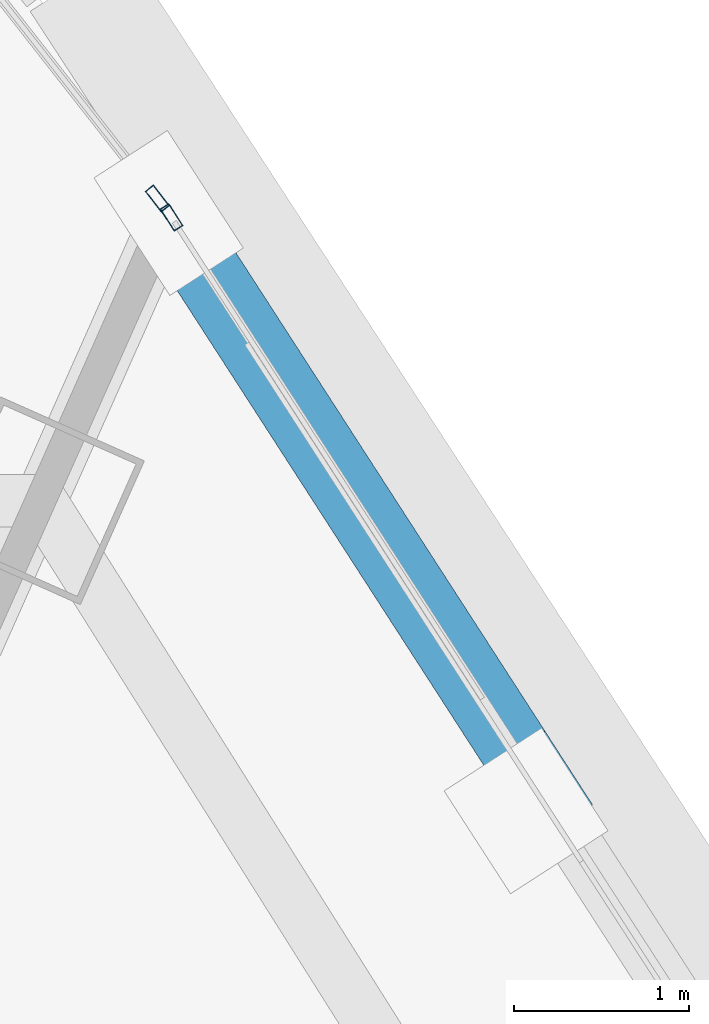
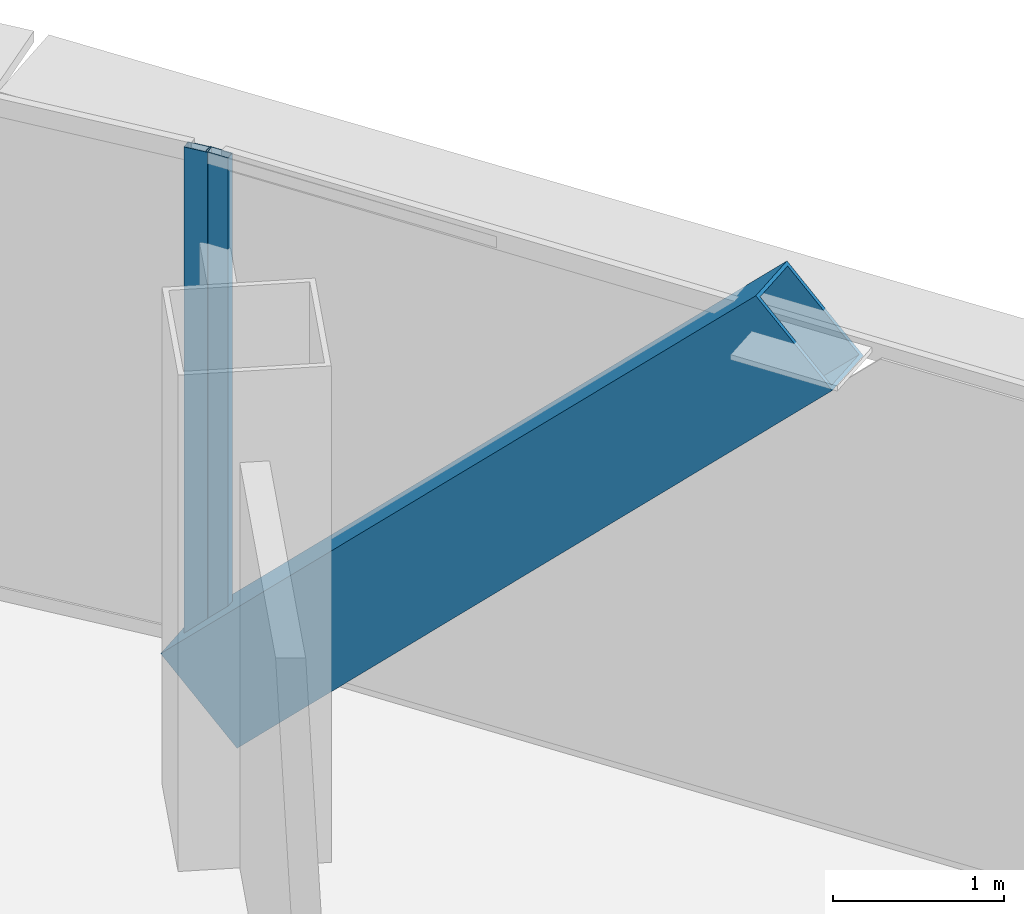
# One storey, part 22 of 37: 3 members, 2 elements without a shape of their own.
"""IFC4 building model written with IfcOpenShell, lengths in metres."""

from ifc_helpers import new_model, si_unit, direction, frame, origin, origin_2d, place, context, subcontext, project, spatial, hollow_rectangle, extrude, source, transform, mapped, material, layer, layer_set, material_profile, profile_set, type_object, element, aggregate, save


model = new_model("IFC4")

# Units and contexts
model_context = context("Model", 3, precision=1e-05, world=origin(), true_north=direction((0.0, 1.0)))
body_context = subcontext(model_context, "Body", "Model", "MODEL_VIEW")
ifc_project = project(units=[si_unit("LENGTHUNIT", "METRE"), si_unit("AREAUNIT", "SQUARE_METRE"), si_unit("VOLUMEUNIT", "CUBIC_METRE"), si_unit("PLANEANGLEUNIT", "RADIAN"), si_unit("MASSUNIT", "GRAM", prefix="KILO"), si_unit("THERMODYNAMICTEMPERATUREUNIT", "KELVIN"), si_unit("POWERUNIT", "WATT")], contexts=[model_context])

# Site, building, storey
site_placement = place(None, origin())
site = spatial("IfcSite", under=ifc_project, at=site_placement, CompositionType="ELEMENT")
building_placement = place(site_placement, origin())
building = spatial("IfcBuilding", under=site, at=building_placement, Name="Yunzhuo Pagoda Commons", CompositionType="ELEMENT")
storey_placement = place(building_placement, frame((0.0, 0.0, 207.56005859375)))
storey = spatial("IfcBuildingStorey", under=building, at=storey_placement, Name="L52", CompositionType="ELEMENT", Elevation=207.56005859375)

# Member
ifc_material_1 = material(Name="Structural steel Q355B", Category="steel")
ifc_material_profile_1 = material_profile(ifc_material_1, hollow_rectangle(XDim=0.39990234375, YDim=0.719970703125, WallThickness=0.02392578125, at=origin_2d()), Name="Structural steel Q355B")
ifc_profile_set_1 = profile_set([ifc_material_profile_1], Name="Structural steel Q355B")
member_type_1 = type_object("IfcMemberType", Name="M-DL2 Brace BOX 720x400x24", PredefinedType="BRACE", material=ifc_profile_set_1)
shared_shape_1 = source(origin(), body_context, "Body", "SweptSolid", [
    extrude(hollow_rectangle(XDim=0.39990234375, YDim=0.719970703125, WallThickness=0.02392578125, at=origin_2d()), origin(), (0.0, 0.0, 1.0), 5.45068359375),
])
member_1_placement = place(storey_placement, frame((63.431640625, 68.360107421875, -0.260009765625), z_axis=(0.389012502589, -0.602174333311, 0.697176695774), x_axis=(0.839970557763, 0.542631976657, 0.0)))
element("IfcMember", 1, at=member_1_placement, inside=storey, type_object=member_type_1, Name="L52 facade diamond brace F2.3R", PredefinedType="BRACE", context=body_context, shape_type="MappedRepresentation", body=[
    mapped(shared_shape_1, transform((0.0, 0.0, 0.0), scale=1.0)),
])

# Curtain wall, member
ifc_material_2 = material(Name="Anodized aluminium 6063-T6", Category="aluminium")
ifc_layer = layer(ifc_material_2, 0.14990234375)
ifc_layer_set = layer_set([ifc_layer], Name="Anodized aluminium 6063-T6")
curtain_wall_type = type_object("IfcCurtainWallType", Name="CW-MID Mid-Zone Ribbon Curtain Wall", PredefinedType="NOTDEFINED", material=ifc_layer_set)
curtain_wall_1_placement = place(storey_placement, origin())
curtain_wall_1 = element("IfcCurtainWall", 2, at=curtain_wall_1_placement, inside=storey, type_object=curtain_wall_type, Name="L52 curtain wall CW-L52-F2B4", PredefinedType="NOTDEFINED")
ifc_material_profile_2 = material_profile(ifc_material_2, hollow_rectangle(XDim=0.06005859375, YDim=0.14990234375, WallThickness=0.00390625, at=origin_2d()), Name="Anodized aluminium 6063-T6")
ifc_profile_set_2 = profile_set([ifc_material_profile_2], Name="Anodized aluminium 6063-T6")
member_type_2 = type_object("IfcMemberType", Name="CW-MID-M Mullion RHS 150x60x4", PredefinedType="MULLION", material=ifc_profile_set_2)
shared_shape_2 = source(origin(), body_context, "Body", "SweptSolid", [
    extrude(hollow_rectangle(XDim=0.06005859375, YDim=0.14990234375, WallThickness=0.00390625, at=origin_2d()), origin(), (0.0, 0.0, 1.0), 3.5400390625),
])
member_2_placement = place(storey_placement, frame((63.447998046875, 68.3349609375, 0.0), z_axis=(0.0, 0.0, 1.0), x_axis=(-0.839965077478, -0.542640459805, 0.0)))
member_2 = element("IfcMember", 3, at=member_2_placement, type_object=member_type_2, Name="CW mullion 2", PredefinedType="MULLION", context=body_context, shape_type="MappedRepresentation", body=[
    mapped(shared_shape_2, transform((0.0, 0.0, 0.0), scale=1.0)),
])
aggregate(curtain_wall_1, [member_2])

curtain_wall_2_placement = place(storey_placement, origin())
curtain_wall_2 = element("IfcCurtainWall", 4, at=curtain_wall_2_placement, inside=storey, type_object=curtain_wall_type, Name="L52 curtain wall CW-L52-F2B5", PredefinedType="NOTDEFINED")
member_3_placement = place(storey_placement, frame((63.366943359375, 68.44287109375, 0.0), z_axis=(0.0, 0.0, 1.0), x_axis=(-0.787150021946, -0.616761577071, 0.0)))
member_3 = element("IfcMember", 5, at=member_3_placement, type_object=member_type_2, Name="CW mullion 1", PredefinedType="MULLION", context=body_context, shape_type="MappedRepresentation", body=[
    mapped(shared_shape_2, transform((0.0, 0.0, 0.0), scale=1.0)),
])
aggregate(curtain_wall_2, [member_3])

save(model, "model.ifc")
